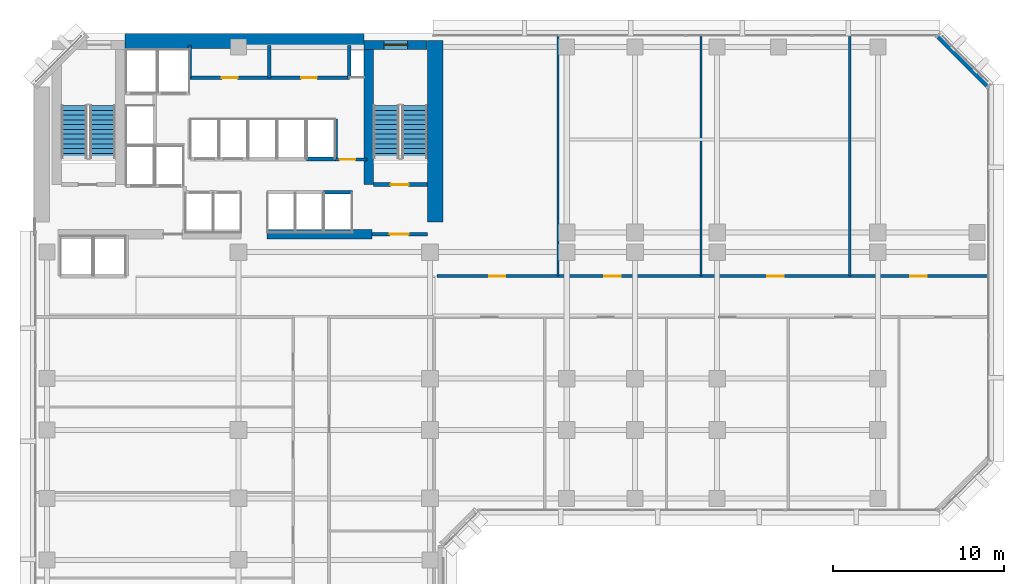
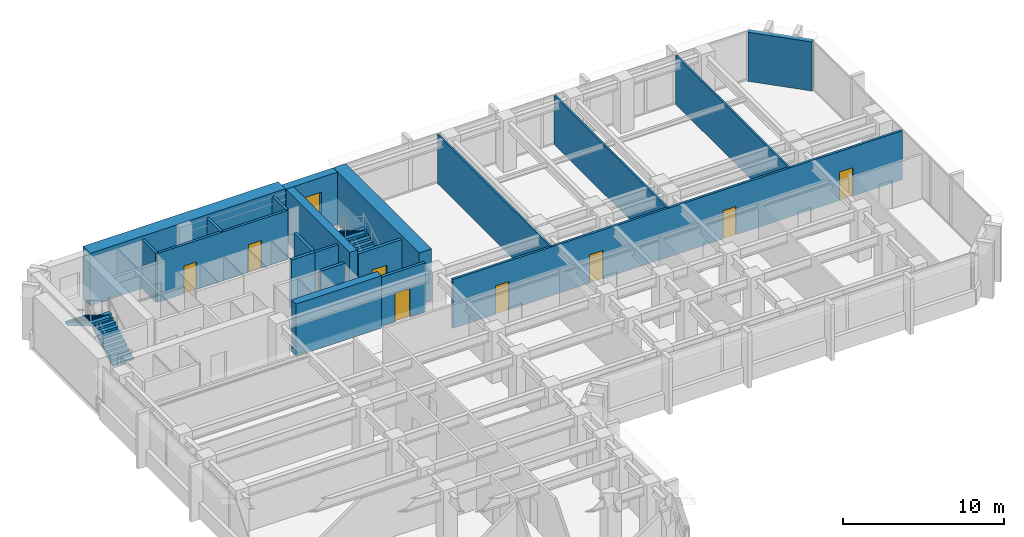
# One storey, part 8 of 13: 20 walls, 9 doors, 4 stair flights, 1 window, 10 openings, 2 elements without a shape of their own.
"""IFC4 building model written with IfcOpenShell, lengths in metres."""

from ifc_helpers import new_model, si_unit, direction, frame, frame_2d, origin, place, context, subcontext, project, spatial, polyline, rectangle, outline, extrude, material, layer, layer_set, type_object, element, fill, aggregate, save


model = new_model("IFC4")

# Units and contexts
model_context = context("Model", 3, precision=1e-05, world=origin(), true_north=direction((0.0, 1.0)))
body_context = subcontext(model_context, "Body", "Model", "MODEL_VIEW")
ifc_project = project(units=[si_unit("LENGTHUNIT", "METRE"), si_unit("AREAUNIT", "SQUARE_METRE"), si_unit("VOLUMEUNIT", "CUBIC_METRE"), si_unit("PLANEANGLEUNIT", "RADIAN"), si_unit("MASSUNIT", "GRAM", prefix="KILO")], contexts=[model_context])

# Site, building, storey
site_placement = place(None, origin())
site = spatial("IfcSite", under=ifc_project, at=site_placement, CompositionType="ELEMENT")
building_placement = place(site_placement, origin())
building = spatial("IfcBuilding", under=site, at=building_placement, Name="Kefirva Bronze Tower", CompositionType="ELEMENT")
storey_placement = place(building_placement, frame((0.0, 0.0, 62.0400390625)))
storey = spatial("IfcBuildingStorey", under=building, at=storey_placement, Name="L14", CompositionType="ELEMENT", Elevation=62.0400390625)

# Walls
ifc_material_1 = material(Name="Gypsum acoustic partition")
ifc_layer_1 = layer(ifc_material_1, 0.1298828125, Name="Gypsum acoustic partition")
ifc_layer_set_1 = layer_set([ifc_layer_1], Name="Gypsum acoustic partition")
wall_type_1 = type_object("IfcWallType", Name="Acoustic Office Partition 130mm", PredefinedType="PARTITIONING", material=ifc_layer_set_1)
for number, where, z_axis, x_axis, name in (
    (1, (30.686279296875, 31.800048828125, 0.0), (0.0, 0.0, 1.0), (0.0, 1.0, 0.0), "L14 Partition W-L14-END1"),
    (2, (39.060791015625, 31.800048828125, 0.0), (0.0, 0.0, 1.0), (0.0, 1.0, 0.0), "L14 Partition W-L14-END2"),
    (3, (47.757568359375, 31.800048828125, 0.0), (0.0, 0.0, 1.0), (0.0, 1.0, 0.0), "L14 Partition W-L14-END3"),
):
    element("IfcWall", number, at=place(storey_placement, frame(where, z_axis=z_axis, x_axis=x_axis)), inside=storey, type_object=wall_type_1, Name=name, PredefinedType="PARTITIONING", context=body_context, shape_type="SweptSolid", body=[
        extrude(rectangle(XDim=14.010009765625, YDim=0.1298828125, at=frame_2d((7.0048828125, 0.0))), origin(), (0.0, 0.0, 1.0), 3.7099609375),
    ])

# Wall, opening, door
ifc_material_2 = material(Name="Gypsum fireboard shaftwall")
ifc_layer_2 = layer(ifc_material_2, 0.219970703125, Name="Gypsum fireboard shaftwall")
ifc_layer_set_2 = layer_set([ifc_layer_2], Name="Gypsum fireboard shaftwall")
wall_type_2 = type_object("IfcWallType", Name="Fire-Rated Shaft Enclosure Wall 220mm", PredefinedType="PARTITIONING", material=ifc_layer_set_2)
wall_1_placement = place(storey_placement, frame((19.89990234375, 37.14990234375, 0.0), z_axis=(0.0, 0.0, 1.0), x_axis=(1.0, 0.0, 0.0)))
wall_1 = element("IfcWall", 4, at=wall_1_placement, inside=storey, type_object=wall_type_2, Name="L14 Partition W-L14-ST2S", PredefinedType="PARTITIONING", context=body_context, shape_type="SweptSolid", body=[
    extrude(rectangle(XDim=3.150146484375, YDim=0.219970703125, at=frame_2d((1.5751953125, 0.0))), origin(), (0.0, 0.0, 1.0), 3.7099609375),
])
opening_1_placement = place(wall_1_placement, frame((2.050048828125, 0.0, 0.0), z_axis=(0.0, 0.0, 1.0), x_axis=(-1.0, 0.0, 0.0)))
opening_1 = element("IfcOpeningElement", 5, at=opening_1_placement, cuts=wall_1, Name="Opening L14-D003", PredefinedType="OPENING", context=body_context, shape_type="SweptSolid", body=[
    extrude(rectangle(XDim=1.050048828125, YDim=2.14990234375, at=frame_2d((0.52490234375, 1.074951171875))), frame((0.0, 0.1201171875, 0.0), z_axis=(0.0, -1.0, 0.0), x_axis=(1.0, 0.0, 0.0)), (0.0, 0.0, 1.0), 0.239990234375),
])
ifc_material_3 = material(Name="Painted galvanized steel", Category="steel")
door_type_1 = type_object("IfcDoorType", Name="Fire Stair Enclosure Door 1050x2150 FD90S", OperationType="NOTDEFINED", PredefinedType="DOOR", material=ifc_material_3)
door_1_placement = place(opening_1_placement, origin())
door_1 = element("IfcDoor", 6, at=door_1_placement, inside=storey, type_object=door_type_1, Name="Door L14-D003", OperationType="SINGLE_SWING_RIGHT", OverallHeight=2.14990234375, OverallWidth=1.050048828125, PredefinedType="DOOR", context=body_context, shape_type="SweptSolid", body=[
    extrude(rectangle(XDim=1.050048828125, YDim=2.14990234375, at=frame_2d((0.52490234375, 1.074951171875))), frame((0.0, 0.02490234375, 0.0), z_axis=(0.0, -1.0, 0.0), x_axis=(1.0, 0.0, 0.0)), (0.0, 0.0, 1.0), 0.050048828125),
])
fill(opening_1, door_1)

# Walls
wall_2_placement = place(storey_placement, frame((17.679931640625, 38.64990234375, 0.0), z_axis=(0.0, 0.0, 1.0), x_axis=(0.0, 1.0, 0.0)))
element("IfcWall", 7, at=wall_2_placement, inside=storey, type_object=wall_type_2, Name="L14 Partition W-L14-HP2E", PredefinedType="PARTITIONING", context=body_context, shape_type="SweptSolid", body=[
    extrude(rectangle(XDim=2.35009765625, YDim=0.199951171875, at=frame_2d((1.175048828125, 0.0))), origin(), (0.0, 0.0, 1.0), 3.7099609375),
])
wall_3_placement = place(storey_placement, frame((16.97998046875, 36.699951171875, 0.0), z_axis=(0.0, 0.0, 1.0), x_axis=(1.0, 0.0, 0.0)))
element("IfcWall", 8, at=wall_3_placement, inside=storey, type_object=wall_type_2, Name="L14 Partition W-L14-HPS", PredefinedType="PARTITIONING", context=body_context, shape_type="SweptSolid", body=[
    extrude(rectangle(XDim=1.699951171875, YDim=0.219970703125, at=frame_2d((0.85009765625, 0.0))), origin(), (0.0, 0.0, 1.0), 3.7099609375),
])
wall_4_placement = place(storey_placement, frame((15.97998046875, 38.64990234375, 0.0), z_axis=(0.0, 0.0, 1.0), x_axis=(1.0, 0.0, 0.0)))
element("IfcWall", 9, at=wall_4_placement, inside=storey, type_object=wall_type_2, Name="L14 Partition W-L14-HPN", PredefinedType="PARTITIONING", context=body_context, shape_type="SweptSolid", body=[
    extrude(rectangle(XDim=1.719970703125, YDim=0.219970703125, at=frame_2d((0.85986328125, 0.0))), origin(), (0.0, 0.0, 1.0), 3.7099609375),
])

# Wall, opening, door
ifc_material_4 = material(Name="Gypsum fireboard barrier")
ifc_layer_3 = layer(ifc_material_4, 0.199951171875, Name="Gypsum fireboard barrier")
ifc_layer_set_3 = layer_set([ifc_layer_3], Name="Gypsum fireboard barrier")
wall_type_3 = type_object("IfcWallType", Name="Firefighting Lobby Barrier Wall 200mm", PredefinedType="PARTITIONING", material=ifc_layer_set_3)
wall_5_placement = place(storey_placement, frame((19.800048828125, 34.25, 0.0), z_axis=(0.0, 0.0, 1.0), x_axis=(1.0, 0.0, 0.0)))
wall_5 = element("IfcWall", 10, at=wall_5_placement, inside=storey, type_object=wall_type_3, Name="L14 Partition W-L14-ST2F", PredefinedType="PARTITIONING", context=body_context, shape_type="SweptSolid", body=[
    extrude(rectangle(XDim=3.25, YDim=0.199951171875, at=frame_2d((1.625, 0.0))), origin(), (0.0, 0.0, 1.0), 3.7099609375),
])
opening_2_placement = place(wall_5_placement, frame((2.150146484375, 0.0, 0.0), z_axis=(0.0, 0.0, 1.0), x_axis=(-1.0, 0.0, 0.0)))
opening_2 = element("IfcOpeningElement", 11, at=opening_2_placement, cuts=wall_5, Name="Opening L14-D004", PredefinedType="OPENING", context=body_context, shape_type="SweptSolid", body=[
    extrude(rectangle(XDim=1.10009765625, YDim=2.14990234375, at=frame_2d((0.550048828125, 1.074951171875))), frame((0.0, 0.10986328125, 0.0), z_axis=(0.0, -1.0, 0.0), x_axis=(1.0, 0.0, 0.0)), (0.0, 0.0, 1.0), 0.219970703125),
])
door_type_2 = type_object("IfcDoorType", Name="Firefighting Lobby Smoke Door 1100x2150 FD60S", OperationType="NOTDEFINED", PredefinedType="DOOR", material=ifc_material_3)
door_2_placement = place(opening_2_placement, origin())
door_2 = element("IfcDoor", 12, at=door_2_placement, inside=storey, type_object=door_type_2, Name="Door L14-D004", OperationType="SINGLE_SWING_LEFT", OverallHeight=2.14990234375, OverallWidth=1.10009765625, PredefinedType="DOOR", context=body_context, shape_type="SweptSolid", body=[
    extrude(rectangle(XDim=1.10009765625, YDim=2.14990234375, at=frame_2d((0.550048828125, 1.074951171875))), frame((0.0, 0.02490234375, 0.0), z_axis=(0.0, -1.0, 0.0), x_axis=(1.0, 0.0, 0.0)), (0.0, 0.0, 1.0), 0.050048828125),
])
fill(opening_2, door_2)

wall_6_placement = place(storey_placement, frame((17.679931640625, 38.6201171875, 0.0), z_axis=(0.0, 0.0, 1.0), x_axis=(1.0, 0.0, 0.0)))
wall_6 = element("IfcWall", 13, at=wall_6_placement, inside=storey, type_object=wall_type_3, Name="L14 Partition W-L14-CPASS", PredefinedType="PARTITIONING", context=body_context, shape_type="SweptSolid", body=[
    extrude(rectangle(XDim=1.840087890625, YDim=0.179931640625, at=frame_2d((0.919921875, 0.0))), origin(), (0.0, 0.0, 1.0), 3.7099609375),
])
opening_3_placement = place(wall_6_placement, frame((0.239990234375, 0.0, 0.0)))
opening_3 = element("IfcOpeningElement", 14, at=opening_3_placement, cuts=wall_6, Name="Opening L14-D-CPAS", PredefinedType="OPENING", context=body_context, shape_type="SweptSolid", body=[
    extrude(rectangle(XDim=0.919921875, YDim=2.10009765625, at=frame_2d((0.4599609375, 1.050048828125))), frame((0.0, 0.10009765625, 0.0), z_axis=(0.0, -1.0, 0.0), x_axis=(1.0, 0.0, 0.0)), (0.0, 0.0, 1.0), 0.199951171875),
])
ifc_material_5 = material(Name="Moisture-resistant timber", Category="wood")
door_type_3 = type_object("IfcDoorType", Name="Accessible Sanitary & WC Door 920x2100", OperationType="NOTDEFINED", PredefinedType="DOOR", material=ifc_material_5)
door_3_placement = place(opening_3_placement, origin())
door_3 = element("IfcDoor", 15, at=door_3_placement, inside=storey, type_object=door_type_3, Name="Door L14-D-CPAS", OperationType="SINGLE_SWING_RIGHT", OverallHeight=2.10009765625, OverallWidth=0.919921875, PredefinedType="DOOR", context=body_context, shape_type="SweptSolid", body=[
    extrude(rectangle(XDim=0.919921875, YDim=2.10009765625, at=frame_2d((0.4599609375, 1.050048828125))), frame((0.0, 0.02490234375, 0.0), z_axis=(0.0, -1.0, 0.0), x_axis=(1.0, 0.0, 0.0)), (0.0, 0.0, 1.0), 0.050048828125),
])
fill(opening_3, door_3)

# Wall
ifc_material_6 = material(Name="Precast concrete C40/50", Category="concrete")
ifc_layer_4 = layer(ifc_material_6, 0.320068359375, Name="Precast concrete C40/50")
ifc_layer_set_4 = layer_set([ifc_layer_4], Name="Precast concrete C40/50")
wall_type_4 = type_object("IfcWallType", Name="Precast Insulated Exterior Wall 320mm", PredefinedType="SOLIDWALL", material=ifc_layer_set_4)
wall_7_placement = place(storey_placement, frame((55.847900390625, 42.92578125, 0.0), z_axis=(0.0, 0.0, 1.0), x_axis=(-0.707106781187, 0.707106781187, 0.0)))
element("IfcWall", 16, at=wall_7_placement, inside=storey, type_object=wall_type_4, Name="L14 Exterior Facade Wall 5", PredefinedType="SOLIDWALL", context=body_context, shape_type="SweptSolid", body=[
    extrude(rectangle(XDim=4.132568359375, YDim=0.320068359375, at=frame_2d((2.06640625, 0.0))), origin(), (0.0, 0.0, 1.0), 3.7099609375),
])

# Wall, openings, doors
ifc_layer_5 = layer(ifc_material_1, 0.159912109375, Name="Gypsum acoustic partition")
ifc_layer_set_5 = layer_set([ifc_layer_5], Name="Gypsum acoustic partition")
wall_type_5 = type_object("IfcWallType", Name="Protected Corridor Partition 160mm", PredefinedType="PARTITIONING", material=ifc_layer_set_5)
wall_8_placement = place(storey_placement, frame((23.60009765625, 31.800048828125, 0.0), z_axis=(0.0, 0.0, 1.0), x_axis=(1.0, 0.0, 0.0)))
wall_8 = element("IfcWall", 17, at=wall_8_placement, inside=storey, type_object=wall_type_5, Name="L14 Partition W-L14-EWN", PredefinedType="PARTITIONING", context=body_context, shape_type="SweptSolid", body=[
    extrude(rectangle(XDim=32.2099609375, YDim=0.159912109375, at=frame_2d((16.10498046875, 0.0))), origin(), (0.0, 0.0, 1.0), 3.7099609375),
])
opening_4_placement = place(wall_8_placement, frame((3.068115234375, 0.0, 0.0)))
opening_4 = element("IfcOpeningElement", 18, at=opening_4_placement, cuts=wall_8, Name="Opening L14-D-EN1", PredefinedType="OPENING", context=body_context, shape_type="SweptSolid", body=[
    extrude(rectangle(XDim=0.949951171875, YDim=2.14990234375, at=frame_2d((0.47509765625, 1.074951171875))), frame((0.0, 0.08984375, 0.0), z_axis=(0.0, -1.0, 0.0), x_axis=(1.0, 0.0, 0.0)), (0.0, 0.0, 1.0), 0.179931640625),
])
opening_5_placement = place(wall_8_placement, frame((9.798583984375, 0.0, 0.0)))
opening_5 = element("IfcOpeningElement", 19, at=opening_5_placement, cuts=wall_8, Name="Opening L14-D-EN2", PredefinedType="OPENING", context=body_context, shape_type="SweptSolid", body=[
    extrude(rectangle(XDim=0.949951171875, YDim=2.14990234375, at=frame_2d((0.47509765625, 1.074951171875))), frame((0.0, 0.08984375, 0.0), z_axis=(0.0, -1.0, 0.0), x_axis=(1.0, 0.0, 0.0)), (0.0, 0.0, 1.0), 0.179931640625),
])
opening_6_placement = place(wall_8_placement, frame((19.333984375, 0.0, 0.0)))
opening_6 = element("IfcOpeningElement", 20, at=opening_6_placement, cuts=wall_8, Name="Opening L14-D-EN3", PredefinedType="OPENING", context=body_context, shape_type="SweptSolid", body=[
    extrude(rectangle(XDim=0.949951171875, YDim=2.14990234375, at=frame_2d((0.47509765625, 1.074951171875))), frame((0.0, 0.08984375, 0.0), z_axis=(0.0, -1.0, 0.0), x_axis=(1.0, 0.0, 0.0)), (0.0, 0.0, 1.0), 0.179931640625),
])
opening_7_placement = place(wall_8_placement, frame((27.708740234375, 0.0, 0.0)))
opening_7 = element("IfcOpeningElement", 21, at=opening_7_placement, cuts=wall_8, Name="Opening L14-D-EN4", PredefinedType="OPENING", context=body_context, shape_type="SweptSolid", body=[
    extrude(rectangle(XDim=0.949951171875, YDim=2.14990234375, at=frame_2d((0.47509765625, 1.074951171875))), frame((0.0, 0.08984375, 0.0), z_axis=(0.0, -1.0, 0.0), x_axis=(1.0, 0.0, 0.0)), (0.0, 0.0, 1.0), 0.179931640625),
])
ifc_material_7 = material(Name="Acoustic hardwood oak", Category="wood")
door_type_4 = type_object("IfcDoorType", Name="Office & Meeting Room Door 950x2150", OperationType="NOTDEFINED", PredefinedType="DOOR", material=ifc_material_7)
door_4_placement = place(opening_4_placement, origin())
door_4 = element("IfcDoor", 22, at=door_4_placement, inside=storey, type_object=door_type_4, Name="Door L14-D-EN1", OperationType="SINGLE_SWING_RIGHT", OverallHeight=2.14990234375, OverallWidth=0.949951171875, PredefinedType="DOOR", context=body_context, shape_type="SweptSolid", body=[
    extrude(rectangle(XDim=0.949951171875, YDim=2.14990234375, at=frame_2d((0.47509765625, 1.074951171875))), frame((0.0, 0.02490234375, 0.0), z_axis=(0.0, -1.0, 0.0), x_axis=(1.0, 0.0, 0.0)), (0.0, 0.0, 1.0), 0.050048828125),
])
fill(opening_4, door_4)
door_5_placement = place(opening_5_placement, origin())
door_5 = element("IfcDoor", 23, at=door_5_placement, inside=storey, type_object=door_type_4, Name="Door L14-D-EN2", OperationType="SINGLE_SWING_LEFT", OverallHeight=2.14990234375, OverallWidth=0.949951171875, PredefinedType="DOOR", context=body_context, shape_type="SweptSolid", body=[
    extrude(rectangle(XDim=0.949951171875, YDim=2.14990234375, at=frame_2d((0.47509765625, 1.074951171875))), frame((0.0, 0.02490234375, 0.0), z_axis=(0.0, -1.0, 0.0), x_axis=(1.0, 0.0, 0.0)), (0.0, 0.0, 1.0), 0.050048828125),
])
fill(opening_5, door_5)
door_6_placement = place(opening_6_placement, origin())
door_6 = element("IfcDoor", 24, at=door_6_placement, inside=storey, type_object=door_type_4, Name="Door L14-D-EN3", OperationType="SINGLE_SWING_RIGHT", OverallHeight=2.14990234375, OverallWidth=0.949951171875, PredefinedType="DOOR", context=body_context, shape_type="SweptSolid", body=[
    extrude(rectangle(XDim=0.949951171875, YDim=2.14990234375, at=frame_2d((0.47509765625, 1.074951171875))), frame((0.0, 0.02490234375, 0.0), z_axis=(0.0, -1.0, 0.0), x_axis=(1.0, 0.0, 0.0)), (0.0, 0.0, 1.0), 0.050048828125),
])
fill(opening_6, door_6)
door_7_placement = place(opening_7_placement, origin())
door_7 = element("IfcDoor", 25, at=door_7_placement, inside=storey, type_object=door_type_4, Name="Door L14-D-EN4", OperationType="SINGLE_SWING_LEFT", OverallHeight=2.14990234375, OverallWidth=0.949951171875, PredefinedType="DOOR", context=body_context, shape_type="SweptSolid", body=[
    extrude(rectangle(XDim=0.949951171875, YDim=2.14990234375, at=frame_2d((0.47509765625, 1.074951171875))), frame((0.0, 0.02490234375, 0.0), z_axis=(0.0, -1.0, 0.0), x_axis=(1.0, 0.0, 0.0)), (0.0, 0.0, 1.0), 0.050048828125),
])
fill(opening_7, door_7)

# Wall, opening, window
ifc_material_8 = material(Name="Concrete C50/60", Category="concrete")
ifc_layer_6 = layer(ifc_material_8, 0.550048828125, Name="Concrete C50/60")
ifc_layer_set_6 = layer_set([ifc_layer_6], Name="Concrete C50/60")
wall_type_6 = type_object("IfcWallType", Name="RC Rear Core Exterior Wall 550mm", PredefinedType="SHEAR", material=ifc_layer_set_6)
wall_9_placement = place(storey_placement, frame((19.35009765625, 45.320068359375, 0.0), z_axis=(0.0, 0.0, 1.0), x_axis=(1.0, 0.0, 0.0)))
wall_9 = element("IfcWall", 26, at=wall_9_placement, inside=storey, type_object=wall_type_6, Name="L14 Stair 2 North Shear Wall", PredefinedType="SHEAR", context=body_context, shape_type="SweptSolid", body=[
    extrude(rectangle(XDim=3.68994140625, YDim=0.550048828125, at=frame_2d((1.844970703125, 0.0))), origin(), (0.0, 0.0, 1.0), 3.9599609375),
])
opening_8_placement = place(wall_9_placement, frame((1.14990234375, 0.0, 1.050048828125)))
opening_8 = element("IfcOpeningElement", 27, at=opening_8_placement, cuts=wall_9, Name="Opening WN-03", PredefinedType="OPENING", context=body_context, shape_type="SweptSolid", body=[
    extrude(rectangle(XDim=1.39990234375, YDim=1.800048828125, at=frame_2d((0.699951171875, 0.89990234375))), frame((0.0, 0.28515625, 0.0), z_axis=(0.0, -1.0, 0.0), x_axis=(1.0, 0.0, 0.0)), (0.0, 0.0, 1.0), 0.570068359375),
])
ifc_material_9 = material(Name="Laminated low-E double glazing", Category="glass")
window_type = type_object("IfcWindowType", Name="Rear-Core Stair Daylight Window 1400x1800", PartitioningType="SINGLE_PANEL", PredefinedType="WINDOW", material=ifc_material_9)
window_placement = place(opening_8_placement, origin())
window = element("IfcWindow", 28, at=window_placement, inside=storey, type_object=window_type, Name="L14 Stair 2 Daylight Window", OverallHeight=1.800048828125, OverallWidth=1.39990234375, PartitioningType="SINGLE_PANEL", PredefinedType="WINDOW", context=body_context, shape_type="SweptSolid", body=[
    extrude(rectangle(XDim=1.39990234375, YDim=1.800048828125, at=frame_2d((0.699951171875, 0.89990234375))), frame((0.0, 0.030029296875, 0.0), z_axis=(0.0, -1.0, 0.0), x_axis=(1.0, 0.0, 0.0)), (0.0, 0.0, 1.0), 0.06005859375),
])
fill(opening_8, window)

# Walls
ifc_material_10 = material(Name="Concrete C60/75", Category="concrete")
ifc_layer_7 = layer(ifc_material_10, 0.89990234375, Name="Concrete C60/75")
ifc_layer_set_7 = layer_set([ifc_layer_7], Name="Concrete C60/75")
wall_type_7 = type_object("IfcWallType", Name="RC Rear Core Exterior Wall 900mm", PredefinedType="SHEAR", material=ifc_layer_set_7)
wall_10_placement = place(storey_placement, frame((5.360107421875, 45.550048828125, 0.0), z_axis=(0.0, 0.0, 1.0), x_axis=(1.0, 0.0, 0.0)))
element("IfcWall", 29, at=wall_10_placement, inside=storey, type_object=wall_type_7, Name="L14 Rear Core North Shear Wall", PredefinedType="SHEAR", context=body_context, shape_type="SweptSolid", body=[
    extrude(rectangle(XDim=13.97998046875, YDim=0.89990234375, at=frame_2d((6.989990234375, 0.0))), origin(), (0.0, 0.0, 1.0), 3.9599609375),
])
ifc_layer_8 = layer(ifc_material_8, 0.550048828125, Name="Concrete C50/60")
ifc_layer_set_8 = layer_set([ifc_layer_8], Name="Concrete C50/60")
wall_type_8 = type_object("IfcWallType", Name="RC Rear Core Interior Wall 550mm", PredefinedType="SHEAR", material=ifc_layer_set_8)
wall_11_placement = place(storey_placement, frame((19.6201171875, 37.14990234375, 0.0), z_axis=(0.0, 0.0, 1.0), x_axis=(0.0, 1.0, 0.0)))
element("IfcWall", 30, at=wall_11_placement, inside=storey, type_object=wall_type_8, Name="L14 Stair 2 West Shear Wall", PredefinedType="SHEAR", context=body_context, shape_type="SweptSolid", body=[
    extrude(rectangle(XDim=7.89013671875, YDim=0.550048828125, at=frame_2d((3.945068359375, 0.0))), origin(), (0.0, 0.0, 1.0), 3.9599609375),
])
ifc_layer_9 = layer(ifc_material_10, 0.89990234375, Name="Concrete C60/75")
ifc_layer_set_9 = layer_set([ifc_layer_9], Name="Concrete C60/75")
wall_type_9 = type_object("IfcWallType", Name="RC Rear Core Interior Wall 900mm", PredefinedType="SHEAR", material=ifc_layer_set_9)
wall_12_placement = place(storey_placement, frame((23.5, 34.949951171875, 0.0), z_axis=(0.0, 0.0, 1.0), x_axis=(0.0, 1.0, 0.0)))
element("IfcWall", 31, at=wall_12_placement, inside=storey, type_object=wall_type_9, Name="L14 Rear Core East Shear Wall", PredefinedType="SHEAR", context=body_context, shape_type="SweptSolid", body=[
    extrude(rectangle(XDim=10.64013671875, YDim=0.89990234375, at=frame_2d((5.320068359375, 0.0))), origin(), (0.0, 0.0, 1.0), 3.9599609375),
])
wall_13_placement = place(storey_placement, frame((13.679931640625, 34.25, 0.0), z_axis=(0.0, 0.0, 1.0), x_axis=(1.0, 0.0, 0.0)))
element("IfcWall", 32, at=wall_13_placement, inside=storey, type_object=wall_type_9, Name="L14 Rear Core South-East Shear Wall", PredefinedType="SHEAR", context=body_context, shape_type="SweptSolid", body=[
    extrude(rectangle(XDim=6.1201171875, YDim=0.550048828125, at=frame_2d((3.06005859375, 0.0))), origin(), (0.0, 0.0, 1.0), 3.9599609375),
])

# Wall, openings, doors
ifc_material_11 = material(Name="Moisture-resistant partition")
ifc_layer_10 = layer(ifc_material_11, 0.179931640625, Name="Moisture-resistant partition")
ifc_layer_set_10 = layer_set([ifc_layer_10], Name="Moisture-resistant partition")
wall_type_10 = type_object("IfcWallType", Name="Sanitary Plumbing Chase Wall 180mm", PredefinedType="PLUMBINGWALL", material=ifc_layer_set_10)
wall_14_placement = place(storey_placement, frame((9.14990234375, 43.39990234375, 0.0), z_axis=(0.0, 0.0, 1.0), x_axis=(1.0, 0.0, 0.0)))
wall_14 = element("IfcWall", 33, at=wall_14_placement, inside=storey, type_object=wall_type_10, Name="L14 Partition W-L14-SVCS", PredefinedType="PLUMBINGWALL", context=body_context, shape_type="SweptSolid", body=[
    extrude(rectangle(XDim=9.330078125, YDim=0.179931640625, at=frame_2d((4.6650390625, 0.0))), origin(), (0.0, 0.0, 1.0), 3.7099609375),
])
opening_9_placement = place(wall_14_placement, frame((1.8798828125, 0.0, 0.0)))
opening_9 = element("IfcOpeningElement", 34, at=opening_9_placement, cuts=wall_14, Name="Opening L14-D-CSVC1", PredefinedType="OPENING", context=body_context, shape_type="SweptSolid", body=[
    extrude(rectangle(XDim=0.919921875, YDim=2.10009765625, at=frame_2d((0.4599609375, 1.050048828125))), frame((0.0, 0.10009765625, 0.0), z_axis=(0.0, -1.0, 0.0), x_axis=(1.0, 0.0, 0.0)), (0.0, 0.0, 1.0), 0.199951171875),
])
opening_10_placement = place(wall_14_placement, frame((6.514892578125, 0.0, 0.0)))
opening_10 = element("IfcOpeningElement", 35, at=opening_10_placement, cuts=wall_14, Name="Opening L14-D-CSVC2", PredefinedType="OPENING", context=body_context, shape_type="SweptSolid", body=[
    extrude(rectangle(XDim=0.919921875, YDim=2.10009765625, at=frame_2d((0.4599609375, 1.050048828125))), frame((0.0, 0.10009765625, 0.0), z_axis=(0.0, -1.0, 0.0), x_axis=(1.0, 0.0, 0.0)), (0.0, 0.0, 1.0), 0.199951171875),
])
door_8_placement = place(opening_9_placement, origin())
door_8 = element("IfcDoor", 36, at=door_8_placement, inside=storey, type_object=door_type_3, Name="Door L14-D-CSVC1", OperationType="SINGLE_SWING_LEFT", OverallHeight=2.10009765625, OverallWidth=0.919921875, PredefinedType="DOOR", context=body_context, shape_type="SweptSolid", body=[
    extrude(rectangle(XDim=0.919921875, YDim=2.10009765625, at=frame_2d((0.4599609375, 1.050048828125))), frame((0.0, 0.02490234375, 0.0), z_axis=(0.0, -1.0, 0.0), x_axis=(1.0, 0.0, 0.0)), (0.0, 0.0, 1.0), 0.050048828125),
])
fill(opening_9, door_8)
door_9_placement = place(opening_10_placement, origin())
door_9 = element("IfcDoor", 37, at=door_9_placement, inside=storey, type_object=door_type_3, Name="Door L14-D-CSVC2", OperationType="SINGLE_SWING_RIGHT", OverallHeight=2.10009765625, OverallWidth=0.919921875, PredefinedType="DOOR", context=body_context, shape_type="SweptSolid", body=[
    extrude(rectangle(XDim=0.919921875, YDim=2.10009765625, at=frame_2d((0.4599609375, 1.050048828125))), frame((0.0, 0.02490234375, 0.0), z_axis=(0.0, -1.0, 0.0), x_axis=(1.0, 0.0, 0.0)), (0.0, 0.0, 1.0), 0.050048828125),
])
fill(opening_10, door_9)

# Walls
for number, where, z_axis, x_axis, name in (
    (38, (9.14990234375, 43.39990234375, 0.0), (0.0, 0.0, 1.0), (0.0, 1.0, 0.0), "L14 Partition W-L14-SVCW"),
    (39, (18.47998046875, 43.39990234375, 0.0), (0.0, 0.0, 1.0), (0.0, 1.0, 0.0), "L14 Partition W-L14-SVCE"),
    (40, (13.800048828125, 43.39990234375, 0.0), (0.0, 0.0, 1.0), (0.0, 1.0, 0.0), "L14 Partition W-L14-CSVD-1"),
):
    element("IfcWall", number, at=place(storey_placement, frame(where, z_axis=z_axis, x_axis=x_axis)), inside=storey, type_object=wall_type_10, Name=name, PredefinedType="PLUMBINGWALL", context=body_context, shape_type="SweptSolid", body=[
        extrude(rectangle(XDim=1.880126953125, YDim=0.179931640625, at=frame_2d((0.93994140625, 0.0))), origin(), (0.0, 0.0, 1.0), 3.7099609375),
    ])

# Stair, stair flights
ifc_material_12 = material(Name="Concrete C40/50", Category="concrete")
stair_type = type_object("IfcStairType", Name="RC Dogleg Protected Stair 24R", PredefinedType="HALF_TURN_STAIR", material=ifc_material_12)
stair_1_placement = place(storey_placement, origin())
stair_1 = element("IfcStair", 41, at=stair_1_placement, inside=storey, type_object=stair_type, Name="L14 Protected Exit Stair 1", PredefinedType="HALF_TURN_STAIR")
stair_flight_type = type_object("IfcStairFlightType", Name="RC Straight Stair Flight 24R", PredefinedType="STRAIGHT", material=ifc_material_12)
stair_flight_1_placement = place(storey_placement, frame((4.050048828125, 38.699951171875, 0.0), z_axis=(0.0, 0.0, 1.0), x_axis=(0.0, 1.0, 0.0)))
stair_flight_1 = element("IfcStairFlight", 42, at=stair_flight_1_placement, type_object=stair_flight_type, Name="ST-1 flight 1", NumberOfRisers=12, NumberOfTreads=11, PredefinedType="STRAIGHT", RiserHeight=0.165, TreadLength=0.28, context=body_context, shape_type="SweptSolid", body=[
    extrude(outline(polyline([(0.0, 0.0), (0.0, 0.1650390625), (0.280029296875, 0.1650390625), (0.280029296875, 0.330078125), (0.56005859375, 0.330078125), (0.56005859375, 0.4951171875), (0.840087890625, 0.4951171875), (0.840087890625, 0.659912109375), (1.1201171875, 0.659912109375), (1.1201171875, 0.824951171875), (1.39990234375, 0.824951171875), (1.39990234375, 0.989990234375), (1.679931640625, 0.989990234375), (1.679931640625, 1.155029296875), (1.9599609375, 1.155029296875), (1.9599609375, 1.320068359375), (2.239990234375, 1.320068359375), (2.239990234375, 1.485107421875), (2.52001953125, 1.485107421875), (2.52001953125, 1.64990234375), (2.800048828125, 1.64990234375), (2.800048828125, 1.81494140625), (3.080078125, 1.81494140625), (3.080078125, 1.97998046875), (3.080078125, 1.64111328125), (0.295166015625, 0.0), (0.0, 0.0)])), frame((0.0, 0.75, 0.0), z_axis=(0.0, -1.0, 0.0), x_axis=(1.0, 0.0, 0.0)), (0.0, 0.0, 1.0), 1.5),
])
stair_flight_2_placement = place(storey_placement, frame((2.39990234375, 41.780029296875, 1.97998046875), z_axis=(0.0, 0.0, 1.0), x_axis=(0.0, -1.0, 0.0)))
stair_flight_2 = element("IfcStairFlight", 43, at=stair_flight_2_placement, type_object=stair_flight_type, Name="ST-1 flight 2", NumberOfRisers=12, NumberOfTreads=11, PredefinedType="STRAIGHT", RiserHeight=0.165, TreadLength=0.28, context=body_context, shape_type="SweptSolid", body=[
    extrude(outline(polyline([(0.0, 0.0), (0.0, 0.1650390625), (0.280029296875, 0.1650390625), (0.280029296875, 0.330078125), (0.56005859375, 0.330078125), (0.56005859375, 0.4951171875), (0.840087890625, 0.4951171875), (0.840087890625, 0.659912109375), (1.1201171875, 0.659912109375), (1.1201171875, 0.824951171875), (1.39990234375, 0.824951171875), (1.39990234375, 0.989990234375), (1.679931640625, 0.989990234375), (1.679931640625, 1.155029296875), (1.9599609375, 1.155029296875), (1.9599609375, 1.320068359375), (2.239990234375, 1.320068359375), (2.239990234375, 1.485107421875), (2.52001953125, 1.485107421875), (2.52001953125, 1.64990234375), (2.800048828125, 1.64990234375), (2.800048828125, 1.81494140625), (3.080078125, 1.81494140625), (3.080078125, 1.97998046875), (3.080078125, 1.64111328125), (0.295166015625, 0.0), (0.0, 0.0)])), frame((0.0, 0.75, 0.0), z_axis=(0.0, -1.0, 0.0), x_axis=(1.0, 0.0, 0.0)), (0.0, 0.0, 1.0), 1.5),
])
aggregate(stair_1, [stair_flight_1, stair_flight_2])

stair_2_placement = place(storey_placement, origin())
stair_2 = element("IfcStair", 44, at=stair_2_placement, inside=storey, type_object=stair_type, Name="L14 Protected Exit Stair 2", PredefinedType="HALF_TURN_STAIR")
stair_flight_3_placement = place(storey_placement, frame((22.300048828125, 38.699951171875, 0.0), z_axis=(0.0, 0.0, 1.0), x_axis=(0.0, 1.0, 0.0)))
stair_flight_3 = element("IfcStairFlight", 45, at=stair_flight_3_placement, type_object=stair_flight_type, Name="ST-2 flight 1", NumberOfRisers=12, NumberOfTreads=11, PredefinedType="STRAIGHT", RiserHeight=0.165, TreadLength=0.28, context=body_context, shape_type="SweptSolid", body=[
    extrude(outline(polyline([(0.0, 0.0), (0.0, 0.1650390625), (0.280029296875, 0.1650390625), (0.280029296875, 0.330078125), (0.56005859375, 0.330078125), (0.56005859375, 0.4951171875), (0.840087890625, 0.4951171875), (0.840087890625, 0.659912109375), (1.1201171875, 0.659912109375), (1.1201171875, 0.824951171875), (1.39990234375, 0.824951171875), (1.39990234375, 0.989990234375), (1.679931640625, 0.989990234375), (1.679931640625, 1.155029296875), (1.9599609375, 1.155029296875), (1.9599609375, 1.320068359375), (2.239990234375, 1.320068359375), (2.239990234375, 1.485107421875), (2.52001953125, 1.485107421875), (2.52001953125, 1.64990234375), (2.800048828125, 1.64990234375), (2.800048828125, 1.81494140625), (3.080078125, 1.81494140625), (3.080078125, 1.97998046875), (3.080078125, 1.64111328125), (0.295166015625, 0.0), (0.0, 0.0)])), frame((0.0, 0.75, 0.0), z_axis=(0.0, -1.0, 0.0), x_axis=(1.0, 0.0, 0.0)), (0.0, 0.0, 1.0), 1.5),
])
stair_flight_4_placement = place(storey_placement, frame((20.64990234375, 41.780029296875, 1.97998046875), z_axis=(0.0, 0.0, 1.0), x_axis=(0.0, -1.0, 0.0)))
stair_flight_4 = element("IfcStairFlight", 46, at=stair_flight_4_placement, type_object=stair_flight_type, Name="ST-2 flight 2", NumberOfRisers=12, NumberOfTreads=11, PredefinedType="STRAIGHT", RiserHeight=0.165, TreadLength=0.28, context=body_context, shape_type="SweptSolid", body=[
    extrude(outline(polyline([(0.0, 0.0), (0.0, 0.1650390625), (0.280029296875, 0.1650390625), (0.280029296875, 0.330078125), (0.56005859375, 0.330078125), (0.56005859375, 0.4951171875), (0.840087890625, 0.4951171875), (0.840087890625, 0.659912109375), (1.1201171875, 0.659912109375), (1.1201171875, 0.824951171875), (1.39990234375, 0.824951171875), (1.39990234375, 0.989990234375), (1.679931640625, 0.989990234375), (1.679931640625, 1.155029296875), (1.9599609375, 1.155029296875), (1.9599609375, 1.320068359375), (2.239990234375, 1.320068359375), (2.239990234375, 1.485107421875), (2.52001953125, 1.485107421875), (2.52001953125, 1.64990234375), (2.800048828125, 1.64990234375), (2.800048828125, 1.81494140625), (3.080078125, 1.81494140625), (3.080078125, 1.97998046875), (3.080078125, 1.64111328125), (0.295166015625, 0.0), (0.0, 0.0)])), frame((0.0, 0.75, 0.0), z_axis=(0.0, -1.0, 0.0), x_axis=(1.0, 0.0, 0.0)), (0.0, 0.0, 1.0), 1.5),
])
aggregate(stair_2, [stair_flight_3, stair_flight_4])

save(model, "model.ifc")
